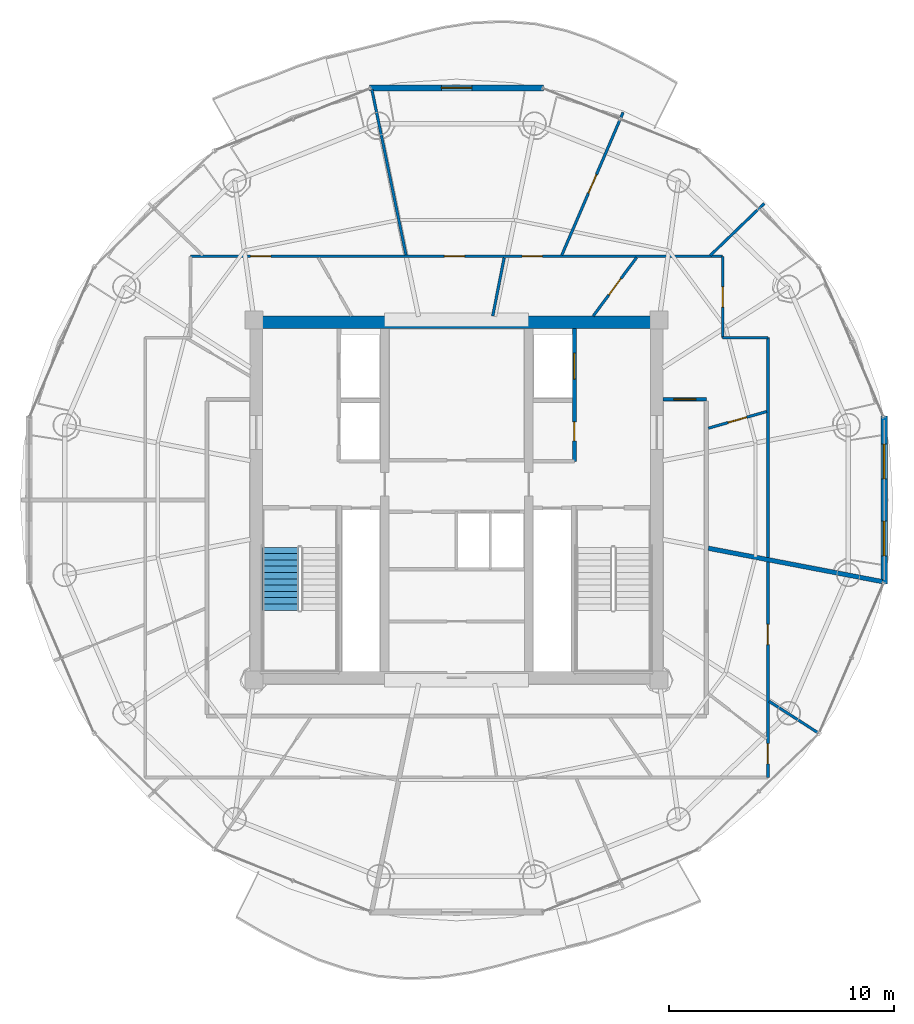
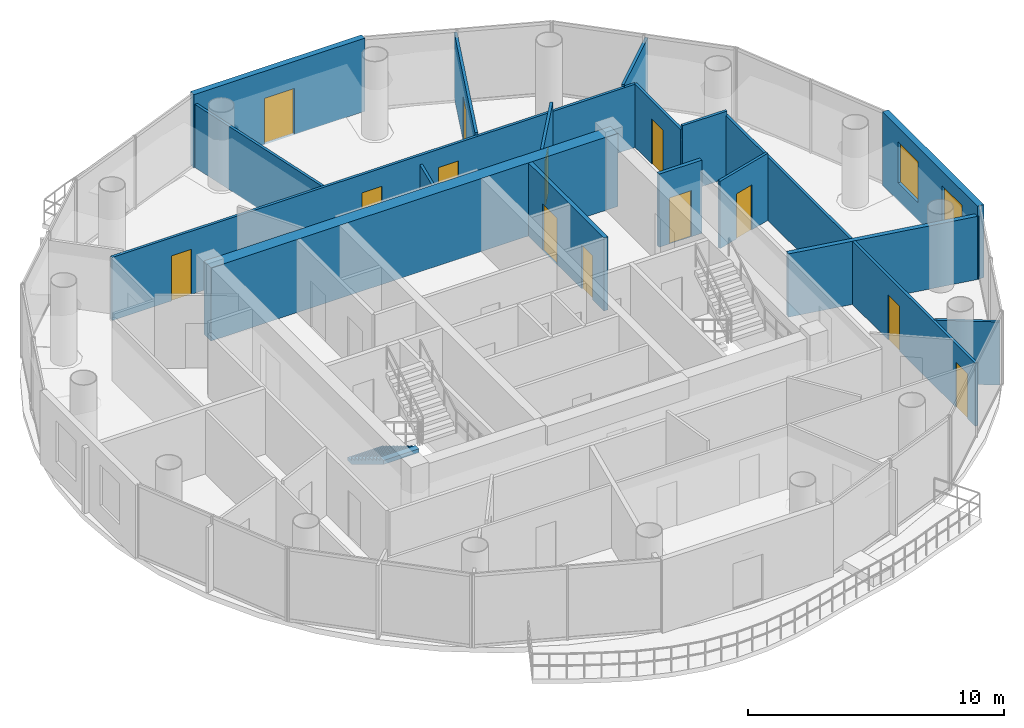
# One storey, part 19 of 23: 18 walls, 13 doors, 2 windows, 1 stair flight, 15 openings, 1 element without a shape of its own.
"""IFC4 building model written with IfcOpenShell, lengths in metres."""

from ifc_helpers import new_model, si_unit, direction, frame, frame_2d, origin, place, context, subcontext, project, spatial, polyline, rectangle, outline, extrude, source, transform, mapped, material, layer, layer_set, type_object, element, fill, aggregate, save


model = new_model("IFC4")

# Units and contexts
model_context = context("Model", 3, precision=1e-05, world=origin(), true_north=direction((-0.2419218956, 0.970295726276)))
body_context = subcontext(model_context, "Body", "Model", "MODEL_VIEW")
ifc_project = project(units=[si_unit("LENGTHUNIT", "METRE"), si_unit("AREAUNIT", "SQUARE_METRE"), si_unit("VOLUMEUNIT", "CUBIC_METRE"), si_unit("PLANEANGLEUNIT", "RADIAN"), si_unit("MASSUNIT", "GRAM", prefix="KILO")], contexts=[model_context])

# Site, building, storey
site_placement = place(None, origin())
site = spatial("IfcSite", under=ifc_project, at=site_placement, CompositionType="ELEMENT")
building_placement = place(site_placement, origin())
building = spatial("IfcBuilding", under=site, at=building_placement, Name="Cobrevalo Terracotta Tower", CompositionType="ELEMENT")
storey_placement = place(building_placement, frame((0.0, 0.0, 266.949951171875)))
storey = spatial("IfcBuildingStorey", under=building, at=storey_placement, Name="L70", CompositionType="ELEMENT", Elevation=266.949951171875)

# Wall
ifc_material_1 = material(Name="Concrete C50", Category="concrete")
ifc_layer_1 = layer(ifc_material_1, 0.550048828125)
ifc_layer_set_1 = layer_set([ifc_layer_1], Name="Concrete C50")
wall_type_1 = type_object("IfcWallType", Name="Core shear wall 550 mm Concrete C50", PredefinedType="SHEAR", material=ifc_layer_set_1)
wall_1_placement = place(storey_placement, frame((28.824951171875, 34.699951171875, 0.0), z_axis=(0.0, 0.0, 1.0), x_axis=(1.0, 0.0, 0.0)))
element("IfcWall", 1, at=wall_1_placement, inside=storey, type_object=wall_type_1, Name="L70 north core shear wall", PredefinedType="SHEAR", context=body_context, shape_type="SweptSolid", body=[
    extrude(rectangle(XDim=18.35009765625, YDim=0.550048828125, at=frame_2d((9.175048828125, 0.0))), origin(), (0.0, 0.0, 1.0), 3.489990234375),
])

# Wall, opening, door
ifc_material_2 = material(Name="Gypsum board on steel stud", Category="steel")
ifc_layer_2 = layer(ifc_material_2, 0.159912109375)
ifc_layer_set_2 = layer_set([ifc_layer_2], Name="Gypsum board on steel stud")
wall_type_2 = type_object("IfcWallType", Name="Fire-rated corridor acoustic partition wall 160 mm", PredefinedType="PARTITIONING", material=ifc_layer_set_2)
wall_2_placement = place(storey_placement, frame((47.175048828125, 31.280029296875, 0.0), z_axis=(0.0, 0.0, 1.0), x_axis=(1.0, 0.0, 0.0)))
wall_2 = element("IfcWall", 2, at=wall_2_placement, inside=storey, type_object=wall_type_2, Name="L70 interior partition IW-L70-COR-EN-CAP", PredefinedType="PARTITIONING", context=body_context, shape_type="SweptSolid", body=[
    extrude(rectangle(XDim=1.929931640625, YDim=0.159912109375, at=frame_2d((0.96484375, 0.0))), origin(), (0.0, 0.0, 1.0), 3.489990234375),
])
opening_1_placement = place(wall_2_placement, frame((0.47509765625, 0.0, 0.0)))
opening_1 = element("IfcOpeningElement", 3, at=opening_1_placement, cuts=wall_2, Name="Opening ID-05", PredefinedType="OPENING", context=body_context, shape_type="SweptSolid", body=[
    extrude(rectangle(XDim=0.97998046875, YDim=2.199951171875, at=frame_2d((0.489990234375, 1.10009765625))), frame((0.0, 0.08984375, 0.0), z_axis=(0.0, -1.0, 0.0), x_axis=(1.0, 0.0, 0.0)), (0.0, 0.0, 1.0), 0.179931640625),
])
ifc_material_3 = material(Name="Solid hardwood timber", Category="wood")
door_type_1 = type_object("IfcDoorType", Name="Residence entrance fire-rated acoustic timber door 980x2200 EI 60", OperationType="NOTDEFINED", PredefinedType="DOOR", material=ifc_material_3)
shared_shape_1 = source(origin(), body_context, "Body", "SweptSolid", [
    extrude(rectangle(XDim=0.97998046875, YDim=2.199951171875, at=frame_2d((0.489990234375, 1.10009765625))), frame((0.0, 0.02490234375, 0.0), z_axis=(0.0, -1.0, 0.0), x_axis=(1.0, 0.0, 0.0)), (0.0, 0.0, 1.0), 0.050048828125),
])
door_1_placement = place(opening_1_placement, origin())
door_1 = element("IfcDoor", 4, at=door_1_placement, inside=storey, type_object=door_type_1, Name="Flat L70A fire-rated apartment entrance door", OperationType="SINGLE_SWING_LEFT", OverallHeight=2.199951171875, OverallWidth=0.97998046875, PredefinedType="DOOR", context=body_context, shape_type="MappedRepresentation", body=[
    mapped(shared_shape_1, transform((0.0, 0.0, 0.0), scale=1.0)),
])
fill(opening_1, door_1)

# Wall, openings, doors
ifc_layer_3 = layer(ifc_material_2, 0.179931640625)
ifc_layer_set_3 = layer_set([ifc_layer_3], Name="Gypsum board on steel stud")
wall_type_3 = type_object("IfcWallType", Name="Fire-rated shaft & lobby acoustic partition wall 180 mm", PredefinedType="PARTITIONING", material=ifc_layer_set_3)
wall_3_placement = place(storey_placement, frame((43.22998046875, 28.52001953125, 0.0), z_axis=(0.0, 0.0, 1.0), x_axis=(0.0, 1.0, 0.0)))
wall_3 = element("IfcWall", 5, at=wall_3_placement, inside=storey, type_object=wall_type_3, Name="L70 interior partition IW-L70-FF2-E", PredefinedType="PARTITIONING", context=body_context, shape_type="SweptSolid", body=[
    extrude(rectangle(XDim=5.905029296875, YDim=0.179931640625, at=frame_2d((2.95263671875, 0.0))), origin(), (0.0, 0.0, 1.0), 3.489990234375),
])
opening_2_placement = place(wall_3_placement, frame((0.905029296875, 0.0, 0.0)))
opening_2 = element("IfcOpeningElement", 6, at=opening_2_placement, cuts=wall_3, Name="Opening ID-22", PredefinedType="OPENING", context=body_context, shape_type="SweptSolid", body=[
    extrude(rectangle(XDim=0.85009765625, YDim=2.10009765625, at=frame_2d((0.425048828125, 1.050048828125))), frame((0.0, 0.10009765625, 0.0), z_axis=(0.0, -1.0, 0.0), x_axis=(1.0, 0.0, 0.0)), (0.0, 0.0, 1.0), 0.199951171875),
])
opening_3_placement = place(wall_3_placement, frame((3.655029296875, 0.0, 0.0)))
opening_3 = element("IfcOpeningElement", 7, at=opening_3_placement, cuts=wall_3, Name="Opening LD-02", PredefinedType="OPENING", context=body_context, shape_type="SweptSolid", body=[
    extrude(rectangle(XDim=1.14990234375, YDim=2.199951171875, at=frame_2d((0.574951171875, 1.10009765625))), frame((0.0, 0.10009765625, 0.0), z_axis=(0.0, -1.0, 0.0), x_axis=(1.0, 0.0, 0.0)), (0.0, 0.0, 1.0), 0.199951171875),
])
ifc_material_4 = material(Name="Powder-coated steel", Category="steel")
door_type_2 = type_object("IfcDoorType", Name="Riser shaft & meter closet fire access door 850x2100 EI 60", OperationType="NOTDEFINED", PredefinedType="DOOR", material=ifc_material_4)
shared_shape_2 = source(origin(), body_context, "Body", "SweptSolid", [
    extrude(rectangle(XDim=0.85009765625, YDim=2.10009765625, at=frame_2d((0.425048828125, 1.050048828125))), frame((0.0, 0.02490234375, 0.0), z_axis=(0.0, -1.0, 0.0), x_axis=(1.0, 0.0, 0.0)), (0.0, 0.0, 1.0), 0.050048828125),
])
door_2_placement = place(opening_2_placement, frame((0.85009765625, 0.0, 0.0), z_axis=(0.0, 0.0, 1.0), x_axis=(-1.0, 0.0, 0.0)))
door_2 = element("IfcDoor", 8, at=door_2_placement, inside=storey, type_object=door_type_2, Name="L70 housekeeping store door", OperationType="SINGLE_SWING_RIGHT", OverallHeight=2.10009765625, OverallWidth=0.85009765625, PredefinedType="DOOR", context=body_context, shape_type="MappedRepresentation", body=[
    mapped(shared_shape_2, transform((0.0, 0.0, 0.0), scale=1.0)),
])
fill(opening_2, door_2)
ifc_material_5 = material(Name="Brushed stainless steel", Category="steel")
door_type_3 = type_object("IfcDoorType", Name="Firefighting lift landing bi-parting sliding door 1150x2200 EI 120", OperationType="DOUBLE_DOOR_SLIDING", PredefinedType="DOOR", material=ifc_material_5)
shared_shape_3 = source(origin(), body_context, "Body", "SweptSolid", [
    extrude(rectangle(XDim=1.14990234375, YDim=2.199951171875, at=frame_2d((0.574951171875, 1.10009765625))), frame((0.0, 0.02490234375, 0.0), z_axis=(0.0, -1.0, 0.0), x_axis=(1.0, 0.0, 0.0)), (0.0, 0.0, 1.0), 0.050048828125),
])
door_3_placement = place(opening_3_placement, origin())
door_3 = element("IfcDoor", 9, at=door_3_placement, inside=storey, type_object=door_type_3, Name="L70 lift landing door FF-2", OperationType="DOUBLE_DOOR_SLIDING", OverallHeight=2.199951171875, OverallWidth=1.14990234375, PredefinedType="DOOR", context=body_context, shape_type="MappedRepresentation", body=[
    mapped(shared_shape_3, transform((0.0, 0.0, 0.0), scale=1.0)),
])
fill(opening_3, door_3)

# Wall
ifc_material_6 = material(Name="Autoclaved aerated concrete block", Category="concrete")
ifc_layer_4 = layer(ifc_material_6, 0.199951171875)
ifc_layer_set_4 = layer_set([ifc_layer_4], Name="Autoclaved aerated concrete block")
wall_type_4 = type_object("IfcWallType", Name="Fire-rated stair, shaft & demising masonry wall 200 mm", PredefinedType="PARTITIONING", material=ifc_layer_set_4)
wall_4_placement = place(storey_placement, frame((49.18505859375, 24.655517578125, 0.0), z_axis=(0.0, 0.0, 1.0), x_axis=(0.982109889803, -0.188308694305, 0.0)))
element("IfcWall", 10, at=wall_4_placement, inside=storey, type_object=wall_type_4, Name="L70 interior partition IW-L70-DEM-1", PredefinedType="PARTITIONING", context=body_context, shape_type="SweptSolid", body=[
    extrude(rectangle(XDim=7.884033203125, YDim=0.199951171875, at=frame_2d((3.94189453125, 0.0))), origin(), (0.0, 0.0, 1.0), 3.01513671875),
])

# Wall, openings, windows
ifc_layer_5 = layer(ifc_material_6, 0.280029296875)
ifc_layer_set_5 = layer_set([ifc_layer_5], Name="Autoclaved aerated concrete block")
wall_type_5 = type_object("IfcWallType", Name="Insulated tower spandrel & pier wall 280 mm with terracotta rainscreen", PredefinedType="SOLIDWALL", material=ifc_layer_set_5)
wall_5_placement = place(storey_placement, frame((56.997802734375, 23.07763671875, 0.0), z_axis=(0.0, 0.0, 1.0), x_axis=(0.0, 1.0, 0.0)))
wall_5 = element("IfcWall", 11, at=wall_5_placement, inside=storey, type_object=wall_type_5, Name="L70 terracotta rainscreen pier wall S16", PredefinedType="SOLIDWALL", context=body_context, shape_type="SweptSolid", body=[
    extrude(rectangle(XDim=7.444580078125, YDim=0.280029296875, at=frame_2d((3.72216796875, 0.0))), origin(), (0.0, 0.0, 1.0), 3.489990234375),
])
opening_4_placement = place(wall_5_placement, frame((1.235107421875, 0.0, 0.85009765625)))
opening_4 = element("IfcOpeningElement", 12, at=opening_4_placement, cuts=wall_5, Name="Opening WN-12", PredefinedType="OPENING", context=body_context, shape_type="SweptSolid", body=[
    extrude(rectangle(XDim=1.550048828125, YDim=1.949951171875, at=frame_2d((0.77490234375, 0.97509765625))), frame((0.0, 0.14990234375, 0.0), z_axis=(0.0, -1.0, 0.0), x_axis=(1.0, 0.0, 0.0)), (0.0, 0.0, 1.0), 0.300048828125),
])
opening_5_placement = place(wall_5_placement, frame((4.65966796875, 0.0, 0.85009765625)))
opening_5 = element("IfcOpeningElement", 13, at=opening_5_placement, cuts=wall_5, Name="Opening WN-12", PredefinedType="OPENING", context=body_context, shape_type="SweptSolid", body=[
    extrude(rectangle(XDim=1.550048828125, YDim=1.949951171875, at=frame_2d((0.77490234375, 0.97509765625))), frame((0.0, 0.14990234375, 0.0), z_axis=(0.0, -1.0, 0.0), x_axis=(1.0, 0.0, 0.0)), (0.0, 0.0, 1.0), 0.300048828125),
])
ifc_material_7 = material(Name="Solar-control low-E double glazing", Category="glass")
window_type = type_object("IfcWindowType", Name="Solar-control low-E aluminium window 1550x1950", PartitioningType="SINGLE_PANEL", PredefinedType="WINDOW", material=ifc_material_7)
shared_shape_4 = source(origin(), body_context, "Body", "SweptSolid", [
    extrude(rectangle(XDim=1.550048828125, YDim=1.949951171875, at=frame_2d((0.77490234375, 0.97509765625))), frame((0.0, 0.030029296875, 0.0), z_axis=(0.0, -1.0, 0.0), x_axis=(1.0, 0.0, 0.0)), (0.0, 0.0, 1.0), 0.06005859375),
])
window_1_placement = place(opening_4_placement, origin())
window_1 = element("IfcWindow", 14, at=window_1_placement, inside=storey, type_object=window_type, Name="L70 suite window S16A", OverallHeight=1.949951171875, OverallWidth=1.550048828125, PartitioningType="SINGLE_PANEL", PredefinedType="WINDOW", context=body_context, shape_type="MappedRepresentation", body=[
    mapped(shared_shape_4, transform((0.0, 0.0, 0.0), scale=1.0)),
])
fill(opening_4, window_1)
window_2_placement = place(opening_5_placement, origin())
window_2 = element("IfcWindow", 15, at=window_2_placement, inside=storey, type_object=window_type, Name="L70 suite window S16B", OverallHeight=1.949951171875, OverallWidth=1.550048828125, PartitioningType="SINGLE_PANEL", PredefinedType="WINDOW", context=body_context, shape_type="MappedRepresentation", body=[
    mapped(shared_shape_4, transform((0.0, 0.0, 0.0), scale=1.0)),
])
fill(opening_5, window_2)

# Wall, opening, door
ifc_layer_6 = layer(ifc_material_6, 0.260009765625)
ifc_layer_set_6 = layer_set([ifc_layer_6], Name="Autoclaved aerated concrete block")
wall_type_6 = type_object("IfcWallType", Name="Recessed balcony loggia insulated exterior wall 260 mm", PredefinedType="SOLIDWALL", material=ifc_layer_set_6)
wall_6_placement = place(storey_placement, frame((41.85888671875, 45.111328125, 0.0), z_axis=(0.0, 0.0, 1.0), x_axis=(-1.0, 0.0, 0.0)))
wall_6 = element("IfcWall", 16, at=wall_6_placement, inside=storey, type_object=wall_type_6, Name="L70 balcony loggia wall S04", PredefinedType="SOLIDWALL", context=body_context, shape_type="SweptSolid", body=[
    extrude(rectangle(XDim=7.7177734375, YDim=0.260009765625, at=frame_2d((3.85888671875, 0.0))), origin(), (0.0, 0.0, 1.0), 3.489990234375),
])
opening_6_placement = place(wall_6_placement, frame((3.183837890625, 0.0, 0.0)))
opening_6 = element("IfcOpeningElement", 17, at=opening_6_placement, cuts=wall_6, Name="Opening ED-05", PredefinedType="OPENING", context=body_context, shape_type="SweptSolid", body=[
    extrude(rectangle(XDim=1.35009765625, YDim=2.199951171875, at=frame_2d((0.675048828125, 1.10009765625))), frame((0.0, 0.14013671875, 0.0), z_axis=(0.0, -1.0, 0.0), x_axis=(1.0, 0.0, 0.0)), (0.0, 0.0, 1.0), 0.280029296875),
])
ifc_material_8 = material(Name="Anodized aluminium and laminated glass", Category="aluminium")
door_type_4 = type_object("IfcDoorType", Name="Suite balcony acoustic glazed terrace door 1350x2200", OperationType="NOTDEFINED", PredefinedType="DOOR", material=ifc_material_8)
shared_shape_5 = source(origin(), body_context, "Body", "SweptSolid", [
    extrude(rectangle(XDim=1.35009765625, YDim=2.199951171875, at=frame_2d((0.675048828125, 1.10009765625))), frame((0.0, 0.02490234375, 0.0), z_axis=(0.0, -1.0, 0.0), x_axis=(1.0, 0.0, 0.0)), (0.0, 0.0, 1.0), 0.050048828125),
])
door_4_placement = place(opening_6_placement, frame((1.35009765625, 0.0, 0.0), z_axis=(0.0, 0.0, 1.0), x_axis=(-1.0, 0.0, 0.0)))
door_4 = element("IfcDoor", 18, at=door_4_placement, inside=storey, type_object=door_type_4, Name="L70 glazed balcony terrace door 1", OperationType="SINGLE_SWING_LEFT", OverallHeight=2.199951171875, OverallWidth=1.35009765625, PredefinedType="DOOR", context=body_context, shape_type="MappedRepresentation", body=[
    mapped(shared_shape_5, transform((0.0, 0.0, 0.0), scale=1.0)),
])
fill(opening_6, door_4)

# Wall, openings, doors
ifc_layer_7 = layer(ifc_material_2, 0.1201171875)
ifc_layer_set_7 = layer_set([ifc_layer_7], Name="Gypsum board on steel stud")
wall_type_7 = type_object("IfcWallType", Name="Residential internal acoustic stud partition 120 mm", PredefinedType="PARTITIONING", material=ifc_layer_set_7)
wall_7_placement = place(storey_placement, frame((26.175048828125, 37.625, 0.0), z_axis=(0.0, 0.0, 1.0), x_axis=(1.0, 0.0, 0.0)))
wall_7 = element("IfcWall", 19, at=wall_7_placement, inside=storey, type_object=wall_type_7, Name="L70 interior partition IW-L70-U1-RING3_0", PredefinedType="PARTITIONING", context=body_context, shape_type="SweptSolid", body=[
    extrude(rectangle(XDim=23.64990234375, YDim=0.1201171875, at=frame_2d((11.824951171875, 0.0))), origin(), (0.0, 0.0, 1.0), 3.01513671875),
])
opening_7_placement = place(wall_7_placement, frame((14.732666015625, 0.0, 0.0)))
opening_7 = element("IfcOpeningElement", 20, at=opening_7_placement, cuts=wall_7, Name="Opening ID-12", PredefinedType="OPENING", context=body_context, shape_type="SweptSolid", body=[
    extrude(rectangle(XDim=0.89990234375, YDim=2.14990234375, at=frame_2d((0.449951171875, 1.074951171875))), frame((0.0, 0.070068359375, 0.0), z_axis=(0.0, -1.0, 0.0), x_axis=(1.0, 0.0, 0.0)), (0.0, 0.0, 1.0), 0.14013671875),
])
opening_8_placement = place(wall_7_placement, frame((11.279052734375, 0.0, 0.0)))
opening_8 = element("IfcOpeningElement", 21, at=opening_8_placement, cuts=wall_7, Name="Opening ID-12", PredefinedType="OPENING", context=body_context, shape_type="SweptSolid", body=[
    extrude(rectangle(XDim=0.89990234375, YDim=2.14990234375, at=frame_2d((0.449951171875, 1.074951171875))), frame((0.0, 0.070068359375, 0.0), z_axis=(0.0, -1.0, 0.0), x_axis=(1.0, 0.0, 0.0)), (0.0, 0.0, 1.0), 0.14013671875),
])
opening_9_placement = place(wall_7_placement, frame((2.67822265625, 0.0, 0.0)))
opening_9 = element("IfcOpeningElement", 22, at=opening_9_placement, cuts=wall_7, Name="Opening ID-12", PredefinedType="OPENING", context=body_context, shape_type="SweptSolid", body=[
    extrude(rectangle(XDim=0.89990234375, YDim=2.14990234375, at=frame_2d((0.449951171875, 1.074951171875))), frame((0.0, 0.070068359375, 0.0), z_axis=(0.0, -1.0, 0.0), x_axis=(1.0, 0.0, 0.0)), (0.0, 0.0, 1.0), 0.14013671875),
])
ifc_material_9 = material(Name="Engineered timber", Category="wood")
door_type_5 = type_object("IfcDoorType", Name="Internal residence & suite timber door 900x2150", OperationType="NOTDEFINED", PredefinedType="DOOR", material=ifc_material_9)
shared_shape_6 = source(origin(), body_context, "Body", "SweptSolid", [
    extrude(rectangle(XDim=0.89990234375, YDim=2.14990234375, at=frame_2d((0.449951171875, 1.074951171875))), frame((0.0, 0.02490234375, 0.0), z_axis=(0.0, -1.0, 0.0), x_axis=(1.0, 0.0, 0.0)), (0.0, 0.0, 1.0), 0.050048828125),
])
door_5_placement = place(opening_7_placement, origin())
door_5 = element("IfcDoor", 23, at=door_5_placement, inside=storey, type_object=door_type_5, Name="Flat L70A Penthouse Family Lounge internal door", OperationType="SINGLE_SWING_LEFT", OverallHeight=2.14990234375, OverallWidth=0.89990234375, PredefinedType="DOOR", context=body_context, shape_type="MappedRepresentation", body=[
    mapped(shared_shape_6, transform((0.0, 0.0, 0.0), scale=1.0)),
])
fill(opening_7, door_5)
door_6_placement = place(opening_8_placement, frame((0.89990234375, 0.0, 0.0), z_axis=(0.0, 0.0, 1.0), x_axis=(-1.0, 0.0, 0.0)))
door_6 = element("IfcDoor", 24, at=door_6_placement, inside=storey, type_object=door_type_5, Name="Flat L70A Private Library Meeting Room internal door", OperationType="SINGLE_SWING_RIGHT", OverallHeight=2.14990234375, OverallWidth=0.89990234375, PredefinedType="DOOR", context=body_context, shape_type="MappedRepresentation", body=[
    mapped(shared_shape_6, transform((0.0, 0.0, 0.0), scale=1.0)),
])
fill(opening_8, door_6)
door_7_placement = place(opening_9_placement, origin())
door_7 = element("IfcDoor", 25, at=door_7_placement, inside=storey, type_object=door_type_5, Name="Flat L70A Principal Guest Bedroom internal door", OperationType="SINGLE_SWING_RIGHT", OverallHeight=2.14990234375, OverallWidth=0.89990234375, PredefinedType="DOOR", context=body_context, shape_type="MappedRepresentation", body=[
    mapped(shared_shape_6, transform((0.0, 0.0, 0.0), scale=1.0)),
])
fill(opening_9, door_7)

# Wall, opening, door
wall_8_placement = place(storey_placement, frame((49.824951171875, 37.625, 0.0), z_axis=(0.0, 0.0, 1.0), x_axis=(0.0, -1.0, 0.0)))
wall_8 = element("IfcWall", 26, at=wall_8_placement, inside=storey, type_object=wall_type_7, Name="L70 interior partition IW-L70-U1-RING4_0", PredefinedType="PARTITIONING", context=body_context, shape_type="SweptSolid", body=[
    extrude(rectangle(XDim=3.614990234375, YDim=0.1201171875, at=frame_2d((1.8076171875, 0.0))), origin(), (0.0, 0.0, 1.0), 3.01513671875),
])
opening_10_placement = place(wall_8_placement, frame((1.357421875, 0.0, 0.0)))
opening_10 = element("IfcOpeningElement", 27, at=opening_10_placement, cuts=wall_8, Name="Opening ID-12", PredefinedType="OPENING", context=body_context, shape_type="SweptSolid", body=[
    extrude(rectangle(XDim=0.89990234375, YDim=2.14990234375, at=frame_2d((0.449951171875, 1.074951171875))), frame((0.0, 0.070068359375, 0.0), z_axis=(0.0, -1.0, 0.0), x_axis=(1.0, 0.0, 0.0)), (0.0, 0.0, 1.0), 0.14013671875),
])
door_8_placement = place(opening_10_placement, origin())
door_8 = element("IfcDoor", 28, at=door_8_placement, inside=storey, type_object=door_type_5, Name="Flat L70A Living and Dining Room internal door", OperationType="SINGLE_SWING_LEFT", OverallHeight=2.14990234375, OverallWidth=0.89990234375, PredefinedType="DOOR", context=body_context, shape_type="MappedRepresentation", body=[
    mapped(shared_shape_6, transform((0.0, 0.0, 0.0), scale=1.0)),
])
fill(opening_10, door_8)

# Walls
wall_9_placement = place(storey_placement, frame((49.824951171875, 34.010009765625, 0.0), z_axis=(0.0, 0.0, 1.0), x_axis=(1.0, 0.0, 0.0)))
element("IfcWall", 29, at=wall_9_placement, inside=storey, type_object=wall_type_7, Name="L70 interior partition IW-L70-U1-RING5_0", PredefinedType="PARTITIONING", context=body_context, shape_type="SweptSolid", body=[
    extrude(rectangle(XDim=2.010009765625, YDim=0.1201171875, at=frame_2d((1.0048828125, 0.0))), origin(), (0.0, 0.0, 1.0), 3.208984375),
])
wall_10_placement = place(storey_placement, frame((51.8349609375, 34.010009765625, 0.0), z_axis=(0.0, 0.0, 1.0), x_axis=(0.0, -1.0, 0.0)))
element("IfcWall", 30, at=wall_10_placement, inside=storey, type_object=wall_type_7, Name="L70 interior partition IW-L70-U1-RING6_0", PredefinedType="PARTITIONING", context=body_context, shape_type="SweptSolid", body=[
    extrude(rectangle(XDim=9.7607421875, YDim=0.1201171875, at=frame_2d((4.88037109375, 0.0))), origin(), (0.0, 0.0, 1.0), 3.01513671875),
])
wall_11_placement = place(storey_placement, frame((49.27490234375, 37.66796875, 0.0), z_axis=(0.0, 0.0, 1.0), x_axis=(0.719954096891, 0.694021684366, 0.0)))
element("IfcWall", 31, at=wall_11_placement, inside=storey, type_object=wall_type_7, Name="L70 interior partition IW-L70-U1-ORAD1", PredefinedType="PARTITIONING", context=body_context, shape_type="SweptSolid", body=[
    extrude(rectangle(XDim=3.332763671875, YDim=0.1201171875, at=frame_2d((1.66650390625, 0.0))), origin(), (0.0, 0.0, 1.0), 3.12109375),
])

# Wall, opening, door
wall_12_placement = place(storey_placement, frame((42.67626953125, 37.681884765625, 0.0), z_axis=(0.0, 0.0, 1.0), x_axis=(0.394777489933, 0.918776759307, 0.0)))
wall_12 = element("IfcWall", 32, at=wall_12_placement, inside=storey, type_object=wall_type_7, Name="L70 interior partition IW-L70-U1-ORAD2M1", PredefinedType="PARTITIONING", context=body_context, shape_type="SweptSolid", body=[
    extrude(rectangle(XDim=6.899658203125, YDim=0.1201171875, at=frame_2d((3.44970703125, 0.0))), origin(), (0.0, 0.0, 1.0), 3.12109375),
])
opening_11_placement = place(wall_12_placement, frame((3.0, 0.0, 0.0)))
opening_11 = element("IfcOpeningElement", 33, at=opening_11_placement, cuts=wall_12, Name="Opening ID-12", PredefinedType="OPENING", context=body_context, shape_type="SweptSolid", body=[
    extrude(rectangle(XDim=0.89990234375, YDim=2.14990234375, at=frame_2d((0.449951171875, 1.074951171875))), frame((0.0, 0.070068359375, 0.0), z_axis=(0.0, -1.0, 0.0), x_axis=(1.0, 0.0, 0.0)), (0.0, 0.0, 1.0), 0.14013671875),
])
door_9_placement = place(opening_11_placement, frame((0.89990234375, 0.0, 0.0), z_axis=(0.0, 0.0, 1.0), x_axis=(-1.0, 0.0, 0.0)))
door_9 = element("IfcDoor", 34, at=door_9_placement, inside=storey, type_object=door_type_5, Name="Flat L70A Master Bedroom internal door", OperationType="SINGLE_SWING_LEFT", OverallHeight=2.14990234375, OverallWidth=0.89990234375, PredefinedType="DOOR", context=body_context, shape_type="MappedRepresentation", body=[
    mapped(shared_shape_6, transform((0.0, 0.0, 0.0), scale=1.0)),
])
fill(opening_11, door_9)

# Wall
wall_13_placement = place(storey_placement, frame((35.753662109375, 37.685791015625, 0.0), z_axis=(0.0, 0.0, 1.0), x_axis=(-0.202105877204, 0.979363678313, 0.0)))
element("IfcWall", 35, at=wall_13_placement, inside=storey, type_object=wall_type_7, Name="L70 interior partition IW-L70-U1-ORAD2", PredefinedType="PARTITIONING", context=body_context, shape_type="SweptSolid", body=[
    extrude(rectangle(XDim=7.512451171875, YDim=0.1201171875, at=frame_2d((3.75634765625, 0.0))), origin(), (0.0, 0.0, 1.0), 3.01513671875),
])

# Wall, opening, door
wall_14_placement = place(storey_placement, frame((49.18505859375, 29.98974609375, 0.0), z_axis=(0.0, 0.0, 1.0), x_axis=(0.961653809431, 0.274266204273, 0.0)))
wall_14 = element("IfcWall", 36, at=wall_14_placement, inside=storey, type_object=wall_type_7, Name="L70 interior partition IW-L70-U1-IRAD1", PredefinedType="PARTITIONING", context=body_context, shape_type="SweptSolid", body=[
    extrude(rectangle(XDim=2.693603515625, YDim=0.1201171875, at=frame_2d((1.3466796875, 0.0))), origin(), (0.0, 0.0, 1.0), 3.208984375),
])
opening_12_placement = place(wall_14_placement, frame((0.916748046875, 0.0, 0.0)))
opening_12 = element("IfcOpeningElement", 37, at=opening_12_placement, cuts=wall_14, Name="Opening ID-19", PredefinedType="OPENING", context=body_context, shape_type="SweptSolid", body=[
    extrude(rectangle(XDim=0.860107421875, YDim=2.14990234375, at=frame_2d((0.43017578125, 1.074951171875))), frame((0.0, 0.070068359375, 0.0), z_axis=(0.0, -1.0, 0.0), x_axis=(1.0, 0.0, 0.0)), (0.0, 0.0, 1.0), 0.14013671875),
])
ifc_material_10 = material(Name="Moisture-sealed timber", Category="wood")
door_type_6 = type_object("IfcDoorType", Name="Suite bathroom internal timber door 860x2150", OperationType="NOTDEFINED", PredefinedType="DOOR", material=ifc_material_10)
shared_shape_7 = source(origin(), body_context, "Body", "SweptSolid", [
    extrude(rectangle(XDim=0.860107421875, YDim=2.14990234375, at=frame_2d((0.43017578125, 1.074951171875))), frame((0.0, 0.02490234375, 0.0), z_axis=(0.0, -1.0, 0.0), x_axis=(1.0, 0.0, 0.0)), (0.0, 0.0, 1.0), 0.050048828125),
])
door_10_placement = place(opening_12_placement, frame((0.860107421875, 0.0, 0.0), z_axis=(0.0, 0.0, 1.0), x_axis=(-1.0, 0.0, 0.0)))
door_10 = element("IfcDoor", 38, at=door_10_placement, inside=storey, type_object=door_type_6, Name="Flat L70A Primary Bathroom internal door", OperationType="SINGLE_SWING_RIGHT", OverallHeight=2.14990234375, OverallWidth=0.860107421875, PredefinedType="DOOR", context=body_context, shape_type="MappedRepresentation", body=[
    mapped(shared_shape_7, transform((0.0, 0.0, 0.0), scale=1.0)),
])
fill(opening_12, door_10)

wall_15_placement = place(storey_placement, frame((44.0703125, 34.9765625, 0.0), z_axis=(0.0, 0.0, 1.0), x_axis=(0.596033679783, 0.802959433947, 0.0)))
wall_15 = element("IfcWall", 39, at=wall_15_placement, inside=storey, type_object=wall_type_7, Name="L70 interior partition IW-L70-U1-IRAD2", PredefinedType="PARTITIONING", context=body_context, shape_type="SweptSolid", body=[
    extrude(rectangle(XDim=3.236328125, YDim=0.1201171875, at=frame_2d((1.6181640625, 0.0))), origin(), (0.0, 0.0, 1.0), 3.489990234375),
])
opening_13_placement = place(wall_15_placement, frame((1.168212890625, 0.0, 0.0)))
opening_13 = element("IfcOpeningElement", 40, at=opening_13_placement, cuts=wall_15, Name="Opening ID-12", PredefinedType="OPENING", context=body_context, shape_type="SweptSolid", body=[
    extrude(rectangle(XDim=0.89990234375, YDim=2.14990234375, at=frame_2d((0.449951171875, 1.074951171875))), frame((0.0, 0.070068359375, 0.0), z_axis=(0.0, -1.0, 0.0), x_axis=(1.0, 0.0, 0.0)), (0.0, 0.0, 1.0), 0.14013671875),
])
door_11_placement = place(opening_13_placement, origin())
door_11 = element("IfcDoor", 41, at=door_11_placement, inside=storey, type_object=door_type_5, Name="Flat L70A Kitchen internal door", OperationType="SINGLE_SWING_RIGHT", OverallHeight=2.14990234375, OverallWidth=0.89990234375, PredefinedType="DOOR", context=body_context, shape_type="MappedRepresentation", body=[
    mapped(shared_shape_6, transform((0.0, 0.0, 0.0), scale=1.0)),
])
fill(opening_13, door_11)

# Wall
wall_16_placement = place(storey_placement, frame((39.606689453125, 34.97705078125, 0.0), z_axis=(0.0, 0.0, 1.0), x_axis=(0.192785105701, 0.981241001497, 0.0)))
element("IfcWall", 42, at=wall_16_placement, inside=storey, type_object=wall_type_7, Name="L70 interior partition IW-L70-U1-IRAD3", PredefinedType="PARTITIONING", context=body_context, shape_type="SweptSolid", body=[
    extrude(rectangle(XDim=2.63671875, YDim=0.1201171875, at=frame_2d((1.318359375, 0.0))), origin(), (0.0, 0.0, 1.0), 2.574951171875),
])

# Wall, openings, doors
wall_17_placement = place(storey_placement, frame((51.8349609375, 24.04541015625, 0.0), z_axis=(0.0, 0.0, 1.0), x_axis=(0.0, -1.0, 0.0)))
wall_17 = element("IfcWall", 43, at=wall_17_placement, inside=storey, type_object=wall_type_7, Name="L70 interior partition IW-L70-U3-RING0_0", PredefinedType="PARTITIONING", context=body_context, shape_type="SweptSolid", body=[
    extrude(rectangle(XDim=9.580322265625, YDim=0.1201171875, at=frame_2d((4.7900390625, 0.0))), origin(), (0.0, 0.0, 1.0), 3.01513671875),
])
opening_14_placement = place(wall_17_placement, frame((2.770751953125, 0.0, 0.0)))
opening_14 = element("IfcOpeningElement", 44, at=opening_14_placement, cuts=wall_17, Name="Opening ID-12", PredefinedType="OPENING", context=body_context, shape_type="SweptSolid", body=[
    extrude(rectangle(XDim=0.89990234375, YDim=2.14990234375, at=frame_2d((0.449951171875, 1.074951171875))), frame((0.0, 0.070068359375, 0.0), z_axis=(0.0, -1.0, 0.0), x_axis=(1.0, 0.0, 0.0)), (0.0, 0.0, 1.0), 0.14013671875),
])
opening_15_placement = place(wall_17_placement, frame((8.072998046875, 0.0, 0.0)))
opening_15 = element("IfcOpeningElement", 45, at=opening_15_placement, cuts=wall_17, Name="Opening ID-12", PredefinedType="OPENING", context=body_context, shape_type="SweptSolid", body=[
    extrude(rectangle(XDim=0.89990234375, YDim=2.14990234375, at=frame_2d((0.449951171875, 1.074951171875))), frame((0.0, 0.070068359375, 0.0), z_axis=(0.0, -1.0, 0.0), x_axis=(1.0, 0.0, 0.0)), (0.0, 0.0, 1.0), 0.14013671875),
])
door_12_placement = place(opening_14_placement, origin())
door_12 = element("IfcDoor", 46, at=door_12_placement, inside=storey, type_object=door_type_5, Name="Flat L70C Principal Guest Bedroom internal door", OperationType="SINGLE_SWING_RIGHT", OverallHeight=2.14990234375, OverallWidth=0.89990234375, PredefinedType="DOOR", context=body_context, shape_type="MappedRepresentation", body=[
    mapped(shared_shape_6, transform((0.0, 0.0, 0.0), scale=1.0)),
])
fill(opening_14, door_12)
door_13_placement = place(opening_15_placement, frame((0.89990234375, 0.0, 0.0), z_axis=(0.0, 0.0, 1.0), x_axis=(-1.0, 0.0, 0.0)))
door_13 = element("IfcDoor", 47, at=door_13_placement, inside=storey, type_object=door_type_5, Name="Flat L70C Master Bedroom internal door", OperationType="SINGLE_SWING_LEFT", OverallHeight=2.14990234375, OverallWidth=0.89990234375, PredefinedType="DOOR", context=body_context, shape_type="MappedRepresentation", body=[
    mapped(shared_shape_6, transform((0.0, 0.0, 0.0), scale=1.0)),
])
fill(opening_15, door_13)

# Wall
wall_18_placement = place(storey_placement, frame((51.88720703125, 17.855712890625, 0.0), z_axis=(0.0, 0.0, 1.0), x_axis=(0.840708587197, -0.54148783127, 0.0)))
element("IfcWall", 48, at=wall_18_placement, inside=storey, type_object=wall_type_7, Name="L70 interior partition IW-L70-U3-ORAD2", PredefinedType="PARTITIONING", context=body_context, shape_type="SweptSolid", body=[
    extrude(rectangle(XDim=2.567626953125, YDim=0.1201171875, at=frame_2d((1.28369140625, 0.0))), origin(), (0.0, 0.0, 1.0), 3.01513671875),
])

# Stair, stair flight
stair_type = type_object("IfcStairType", Name="Core protected escape dogleg stair 1600", PredefinedType="HALF_TURN_STAIR", material=ifc_material_1)
stair_placement = place(storey_placement, origin())
stair = element("IfcStair", 49, at=stair_placement, inside=storey, type_object=stair_type, Name="L70 Protected exit stair ST-1", PredefinedType="HALF_TURN_STAIR")
stair_flight_type = type_object("IfcStairFlightType", Name="Core protected escape dogleg stair 1600 flight", PredefinedType="STRAIGHT", material=ifc_material_1)
stair_flight_placement = place(storey_placement, frame((30.175048828125, 24.699951171875, 0.0), z_axis=(0.0, 0.0, 1.0), x_axis=(0.0, -1.0, 0.0)))
stair_flight = element("IfcStairFlight", 50, at=stair_flight_placement, type_object=stair_flight_type, Name="ST-1 flight 1", NumberOfRisers=11, NumberOfTreads=10, PredefinedType="STRAIGHT", RiserHeight=0.170454545, TreadLength=0.28, context=body_context, shape_type="SweptSolid", body=[
    extrude(outline(polyline([(0.0, 0.0), (0.0, 0.17041015625), (0.280029296875, 0.17041015625), (0.280029296875, 0.3408203125), (0.56005859375, 0.3408203125), (0.56005859375, 0.511474609375), (0.840087890625, 0.511474609375), (0.840087890625, 0.681884765625), (1.1201171875, 0.681884765625), (1.1201171875, 0.852294921875), (1.39990234375, 0.852294921875), (1.39990234375, 1.022705078125), (1.679931640625, 1.022705078125), (1.679931640625, 1.193115234375), (1.9599609375, 1.193115234375), (1.9599609375, 1.363525390625), (2.239990234375, 1.363525390625), (2.239990234375, 1.5341796875), (2.52001953125, 1.5341796875), (2.52001953125, 1.70458984375), (2.800048828125, 1.70458984375), (2.800048828125, 1.875), (2.800048828125, 1.517333984375), (0.3076171875, 0.0), (0.0, 0.0)])), frame((0.0, 0.800048828125, 0.0), z_axis=(0.0, -1.0, 0.0), x_axis=(1.0, 0.0, 0.0)), (0.0, 0.0, 1.0), 1.60009765625),
])
aggregate(stair, [stair_flight])

save(model, "model.ifc")
